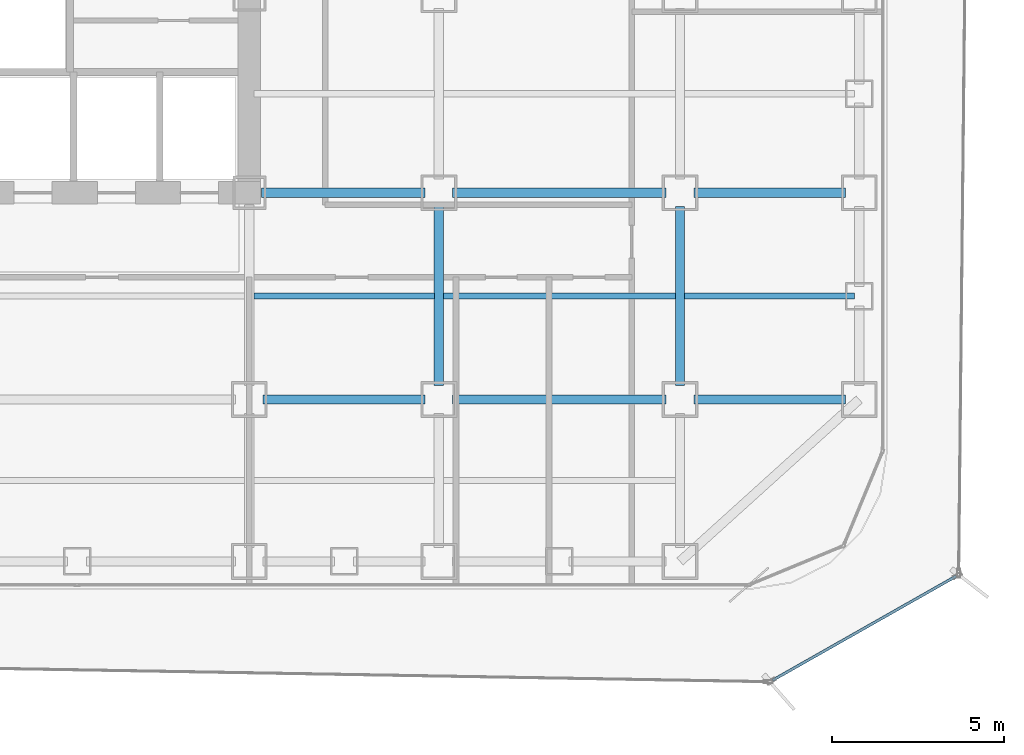
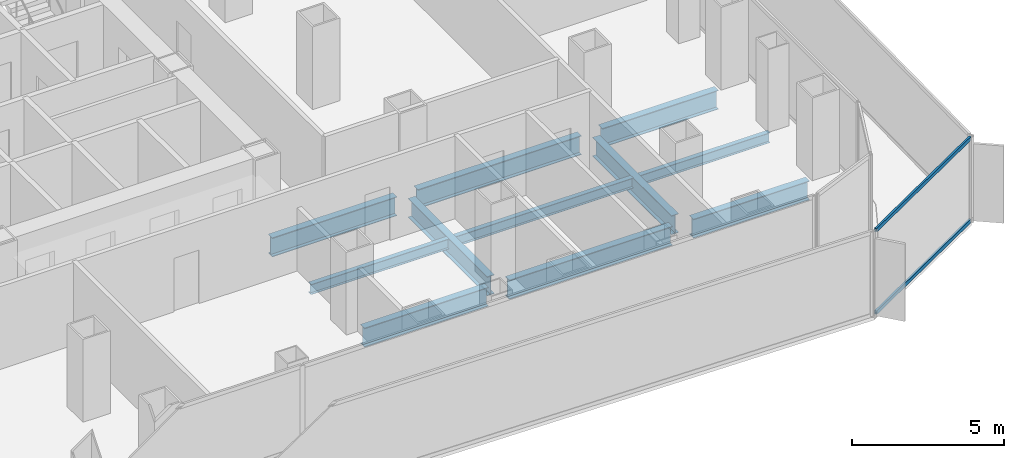
# One storey, part 7 of 21: 11 beams, 2 members, 1 element without a shape of its own.
"""IFC4 building model written with IfcOpenShell, lengths in metres."""

from ifc_helpers import new_model, si_unit, direction, frame, origin, origin_2d, place, context, subcontext, project, spatial, hollow_rectangle, i_section, extrude, source, transform, mapped, material, layer, layer_set, material_profile, profile_set, type_object, element, aggregate, save


model = new_model("IFC4")

# Units and contexts
model_context = context("Model", 3, precision=1e-05, world=origin(), true_north=direction((0.0, 1.0)))
body_context = subcontext(model_context, "Body", "Model", "MODEL_VIEW")
ifc_project = project(units=[si_unit("LENGTHUNIT", "METRE"), si_unit("AREAUNIT", "SQUARE_METRE"), si_unit("VOLUMEUNIT", "CUBIC_METRE"), si_unit("PLANEANGLEUNIT", "RADIAN"), si_unit("MASSUNIT", "GRAM", prefix="KILO")], contexts=[model_context])

# Site, building, storey
site_placement = place(None, origin())
site = spatial("IfcSite", under=ifc_project, at=site_placement, CompositionType="ELEMENT")
building_placement = place(site_placement, origin())
building = spatial("IfcBuilding", under=site, at=building_placement, Name="Kolveth Station Tower", CompositionType="ELEMENT")
storey_placement = place(building_placement, frame((0.0, 0.0, 40.5)))
storey = spatial("IfcBuildingStorey", under=building, at=storey_placement, Name="L10", CompositionType="ELEMENT", Elevation=40.5)

# Beams
ifc_material_1 = material(Name="Steel S355", Category="steel")
ifc_material_profile_1 = material_profile(ifc_material_1, i_section(OverallWidth=0.26708984375, OverallDepth=0.76611328125, WebThickness=0.014892578125, FlangeThickness=0.023681640625, at=origin_2d()), Name="W760x185")
ifc_profile_set_1 = profile_set([ifc_material_profile_1], Name="Steel S355")
beam_type_1 = type_object("IfcBeamType", Name="Beam_B3", PredefinedType="BEAM", material=ifc_profile_set_1)
shared_shape_1 = source(origin(), body_context, "Body", "SweptSolid", [
    extrude(i_section(OverallWidth=0.26708984375, OverallDepth=0.76611328125, WebThickness=0.014892578125, FlangeThickness=0.023681640625, at=origin_2d()), origin(), (0.0, 0.0, 1.0), 4.400146484375),
])
for number, where, z_axis, x_axis, name in (
    (1, (41.39990234375, 5.5, -0.6630859375), (1.0, 0.0, 0.0), (0.0, 1.0, 0.0), "L10 Primary Girder BM-L10-GY55-7"),
    (2, (41.39990234375, 11.5, -0.6630859375), (1.0, 0.0, 0.0), (0.0, 1.0, 0.0), "L10 Primary Girder BM-L10-GY115-7"),
):
    element("IfcBeam", number, at=place(storey_placement, frame(where, z_axis=z_axis, x_axis=x_axis)), inside=storey, type_object=beam_type_1, Name=name, PredefinedType="BEAM", context=body_context, shape_type="MappedRepresentation", body=[
        mapped(shared_shape_1, transform((0.0, 0.0, 0.0), x_axis=(1.0, 0.0, 0.0), y_axis=(0.0, 1.0, 0.0), z_axis=(0.0, 0.0, 1.0), scale=1.0)),
    ])
shared_shape_2 = source(origin(), body_context, "Body", "SweptSolid", [
    extrude(i_section(OverallWidth=0.26708984375, OverallDepth=0.76611328125, WebThickness=0.014892578125, FlangeThickness=0.023681640625, at=origin_2d()), origin(), (0.0, 0.0, 1.0), 6.2001953125),
])
for number, where, z_axis, x_axis, name in (
    (3, (34.39990234375, 5.5, -0.6630859375), (1.0, 0.0, 0.0), (0.0, 1.0, 0.0), "L10 Primary Girder BM-L10-GY55-6"),
    (4, (34.39990234375, 11.5, -0.6630859375), (1.0, 0.0, 0.0), (0.0, 1.0, 0.0), "L10 Primary Girder BM-L10-GY115-6"),
):
    element("IfcBeam", number, at=place(storey_placement, frame(where, z_axis=z_axis, x_axis=x_axis)), inside=storey, type_object=beam_type_1, Name=name, PredefinedType="BEAM", context=body_context, shape_type="MappedRepresentation", body=[
        mapped(shared_shape_2, transform((0.0, 0.0, 0.0), x_axis=(1.0, 0.0, 0.0), y_axis=(0.0, 1.0, 0.0), z_axis=(0.0, 0.0, 1.0), scale=1.0)),
    ])
shared_shape_3 = source(origin(), body_context, "Body", "SweptSolid", [
    extrude(i_section(OverallWidth=0.26708984375, OverallDepth=0.76611328125, WebThickness=0.014892578125, FlangeThickness=0.023681640625, at=origin_2d()), origin(), (0.0, 0.0, 1.0), 4.7001953125),
])
beam_1_placement = place(storey_placement, frame((28.89990234375, 5.5, -0.6630859375), z_axis=(1.0, 0.0, 0.0), x_axis=(0.0, 1.0, 0.0)))
element("IfcBeam", 5, at=beam_1_placement, inside=storey, type_object=beam_type_1, Name="L10 Primary Girder BM-L10-GY55-5", PredefinedType="BEAM", context=body_context, shape_type="MappedRepresentation", body=[
    mapped(shared_shape_3, transform((0.0, 0.0, 0.0), x_axis=(1.0, 0.0, 0.0), y_axis=(0.0, 1.0, 0.0), z_axis=(0.0, 0.0, 1.0), scale=1.0)),
])
shared_shape_4 = source(origin(), body_context, "Body", "SweptSolid", [
    extrude(i_section(OverallWidth=0.26708984375, OverallDepth=0.76611328125, WebThickness=0.014892578125, FlangeThickness=0.023681640625, at=origin_2d()), origin(), (0.0, 0.0, 1.0), 4.739990234375),
])
beam_2_placement = place(storey_placement, frame((28.860107421875, 11.5, -0.6630859375), z_axis=(1.0, 0.0, 0.0), x_axis=(0.0, 1.0, 0.0)))
element("IfcBeam", 6, at=beam_2_placement, inside=storey, type_object=beam_type_1, Name="L10 Primary Girder BM-L10-GY115-5", PredefinedType="BEAM", context=body_context, shape_type="MappedRepresentation", body=[
    mapped(shared_shape_4, transform((0.0, 0.0, 0.0), x_axis=(1.0, 0.0, 0.0), y_axis=(0.0, 1.0, 0.0), z_axis=(0.0, 0.0, 1.0), scale=1.0)),
])
shared_shape_5 = source(origin(), body_context, "Body", "SweptSolid", [
    extrude(i_section(OverallWidth=0.26708984375, OverallDepth=0.76611328125, WebThickness=0.014892578125, FlangeThickness=0.023681640625, at=origin_2d()), origin(), (0.0, 0.0, 1.0), 5.2001953125),
])
for number, where, z_axis, x_axis, name in (
    (7, (34.0, 5.89990234375, -0.6630859375), (0.0, 1.0, 0.0), (-1.0, 0.0, 0.0), "L10 Primary Girder BM-L10-GX340-2"),
    (8, (41.0, 5.89990234375, -0.6630859375), (0.0, 1.0, 0.0), (-1.0, 0.0, 0.0), "L10 Primary Girder BM-L10-GX410-2"),
):
    element("IfcBeam", number, at=place(storey_placement, frame(where, z_axis=z_axis, x_axis=x_axis)), inside=storey, type_object=beam_type_1, Name=name, PredefinedType="BEAM", context=body_context, shape_type="MappedRepresentation", body=[
        mapped(shared_shape_5, transform((0.0, 0.0, 0.0), x_axis=(1.0, 0.0, 0.0), y_axis=(0.0, 1.0, 0.0), z_axis=(0.0, 0.0, 1.0), scale=1.0)),
    ])
ifc_material_profile_2 = material_profile(ifc_material_1, i_section(OverallWidth=0.177978515625, OverallDepth=0.406982421875, WebThickness=0.0078125, FlangeThickness=0.0126953125, at=origin_2d()), Name="W410x60")
ifc_profile_set_2 = profile_set([ifc_material_profile_2], Name="Steel S355")
beam_type_2 = type_object("IfcBeamType", Name="Beam_J1", PredefinedType="JOIST", material=ifc_profile_set_2)
shared_shape_6 = source(origin(), body_context, "Body", "SweptSolid", [
    extrude(i_section(OverallWidth=0.177978515625, OverallDepth=0.406982421875, WebThickness=0.0078125, FlangeThickness=0.0126953125, at=origin_2d()), origin(), (0.0, 0.0, 1.0), 4.935791015625),
])
beam_3_placement = place(storey_placement, frame((41.131591796875, 8.5, -0.4833984375), z_axis=(1.0, 0.0, 0.0), x_axis=(0.0, 1.0, 0.0)))
element("IfcBeam", 9, at=beam_3_placement, inside=storey, type_object=beam_type_2, Name="L10 Secondary Joist JST-L10-7-2", PredefinedType="JOIST", context=body_context, shape_type="MappedRepresentation", body=[
    mapped(shared_shape_6, transform((0.0, 0.0, 0.0), x_axis=(1.0, 0.0, 0.0), y_axis=(0.0, 1.0, 0.0), z_axis=(0.0, 0.0, 1.0), scale=1.0)),
])
shared_shape_7 = source(origin(), body_context, "Body", "SweptSolid", [
    extrude(i_section(OverallWidth=0.177978515625, OverallDepth=0.406982421875, WebThickness=0.0078125, FlangeThickness=0.0126953125, at=origin_2d()), origin(), (0.0, 0.0, 1.0), 6.73681640625),
])
beam_4_placement = place(storey_placement, frame((34.131591796875, 8.5, -0.4833984375), z_axis=(1.0, 0.0, 0.0), x_axis=(0.0, 1.0, 0.0)))
element("IfcBeam", 10, at=beam_4_placement, inside=storey, type_object=beam_type_2, Name="L10 Secondary Joist JST-L10-6-2", PredefinedType="JOIST", context=body_context, shape_type="MappedRepresentation", body=[
    mapped(shared_shape_7, transform((0.0, 0.0, 0.0), x_axis=(1.0, 0.0, 0.0), y_axis=(0.0, 1.0, 0.0), z_axis=(0.0, 0.0, 1.0), scale=1.0)),
])
shared_shape_8 = source(origin(), body_context, "Body", "SweptSolid", [
    extrude(i_section(OverallWidth=0.177978515625, OverallDepth=0.406982421875, WebThickness=0.0078125, FlangeThickness=0.0126953125, at=origin_2d()), origin(), (0.0, 0.0, 1.0), 5.23681640625),
])
beam_5_placement = place(storey_placement, frame((28.631591796875, 8.5, -0.4833984375), z_axis=(1.0, 0.0, 0.0), x_axis=(0.0, 1.0, 0.0)))
element("IfcBeam", 11, at=beam_5_placement, inside=storey, type_object=beam_type_2, Name="L10 Secondary Joist JST-L10-5-2", PredefinedType="JOIST", context=body_context, shape_type="MappedRepresentation", body=[
    mapped(shared_shape_8, transform((0.0, 0.0, 0.0), x_axis=(1.0, 0.0, 0.0), y_axis=(0.0, 1.0, 0.0), z_axis=(0.0, 0.0, 1.0), scale=1.0)),
])

# Curtain wall, members
ifc_material_2 = material(Name="Black anodized aluminium 6063-T6 and dark solar glass", Category="aluminium")
ifc_layer = layer(ifc_material_2, 0.159912109375)
ifc_layer_set = layer_set([ifc_layer], Name="Black anodized aluminium 6063-T6 and dark solar glass")
curtain_wall_type = type_object("IfcCurtainWallType", Name="OUTER SKIN CW-OS", PredefinedType="NOTDEFINED", material=ifc_layer_set)
curtain_wall_placement = place(storey_placement, origin())
curtain_wall = element("IfcCurtainWall", 12, at=curtain_wall_placement, inside=storey, type_object=curtain_wall_type, Name="L10 Outer Ventilated Skin Curtain Wall 1", PredefinedType="NOTDEFINED")
ifc_material_3 = material(Name="Black anodized aluminium 6063-T6", Category="aluminium")
ifc_material_profile_3 = material_profile(ifc_material_3, hollow_rectangle(XDim=0.080078125, YDim=0.14990234375, WallThickness=0.0048828125, at=origin_2d()), Name="ALU-80x150x5")
ifc_profile_set_3 = profile_set([ifc_material_profile_3], Name="Black anodized aluminium 6063-T6")
member_type = type_object("IfcMemberType", Name="Transom_TR-OS", PredefinedType="USERDEFINED", material=ifc_profile_set_3)
shared_shape_9 = source(origin(), body_context, "Body", "SweptSolid", [
    extrude(hollow_rectangle(XDim=0.080078125, YDim=0.14990234375, WallThickness=0.0048828125, at=origin_2d()), origin(), (0.0, 0.0, 1.0), 6.122314453125),
])
member_1_placement = place(storey_placement, frame((43.68505859375, -2.650390625, 0.0400390625), z_axis=(0.869845951966, 0.493323443441, 0.0), x_axis=(-0.493323443441, 0.869845951966, 0.0)))
member_1 = element("IfcMember", 13, at=member_1_placement, type_object=member_type, Name="CW-OS transom 1.1", ObjectType="TRANSOM", PredefinedType="USERDEFINED", context=body_context, shape_type="MappedRepresentation", body=[
    mapped(shared_shape_9, transform((0.0, 0.0, 0.0), x_axis=(1.0, 0.0, 0.0), y_axis=(0.0, 1.0, 0.0), z_axis=(0.0, 0.0, 1.0), scale=1.0)),
])
member_2_placement = place(storey_placement, frame((43.68505859375, -2.650390625, 3.35009765625), z_axis=(0.869845951966, 0.493323443441, 0.0), x_axis=(-0.493323443441, 0.869845951966, 0.0)))
member_2 = element("IfcMember", 14, at=member_2_placement, type_object=member_type, Name="CW-OS transom 1.2", ObjectType="TRANSOM", PredefinedType="USERDEFINED", context=body_context, shape_type="MappedRepresentation", body=[
    mapped(shared_shape_9, transform((0.0, 0.0, 0.0), x_axis=(1.0, 0.0, 0.0), y_axis=(0.0, 1.0, 0.0), z_axis=(0.0, 0.0, 1.0), scale=1.0)),
])
aggregate(curtain_wall, [member_1, member_2])

save(model, "model.ifc")
